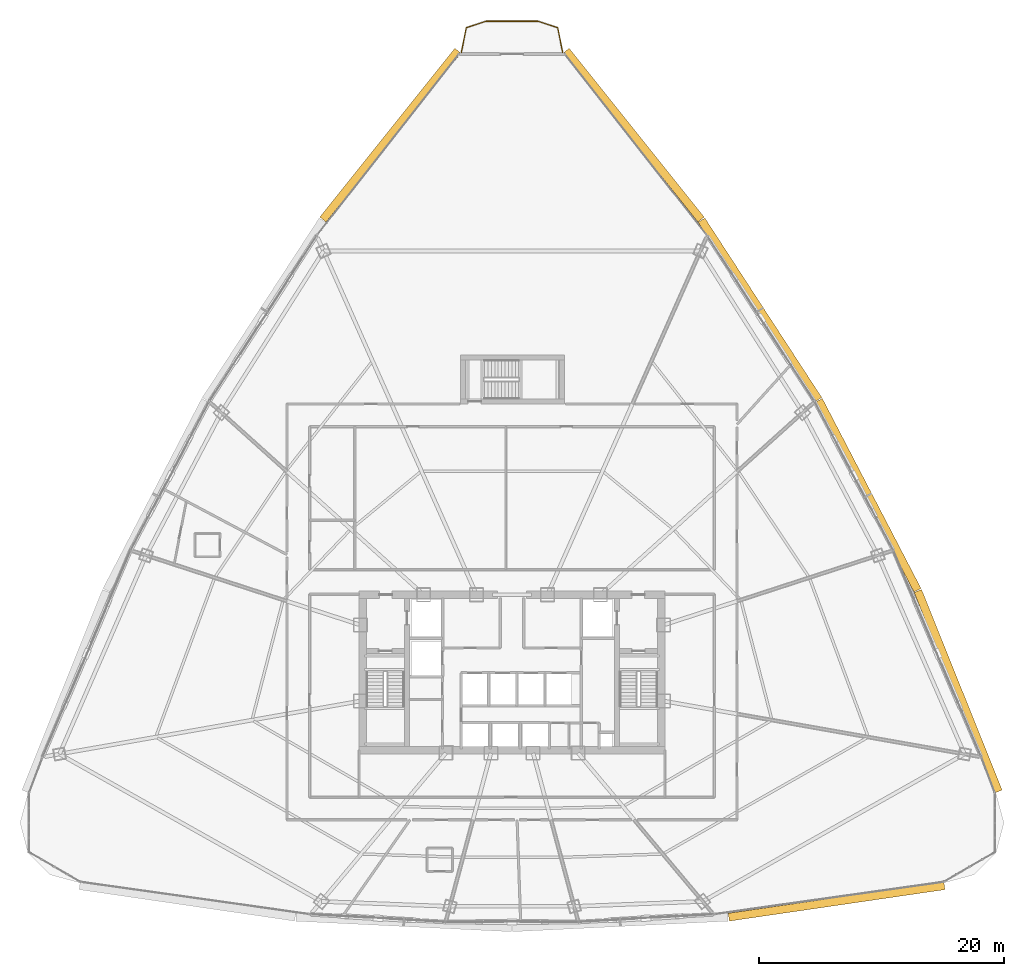
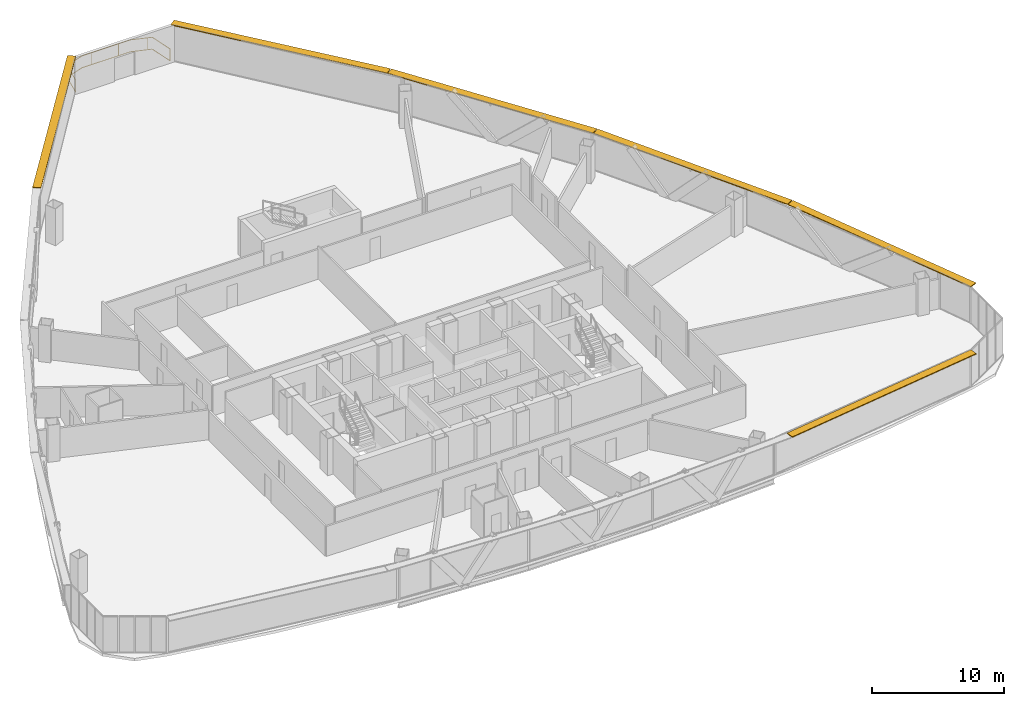
# One storey, part 42 of 42: 6 shading devices, 1 railing.
"""IFC4 building model written with IfcOpenShell, lengths in metres."""

from ifc_helpers import new_model, si_unit, direction, frame, origin, origin_2d, place, context, subcontext, project, spatial, rectangle, extrude, source, transform, mapped, material, layer, layer_set, type_object, element, save


model = new_model("IFC4")

# Units and contexts
model_context = context("Model", 3, precision=1e-05, world=origin(), true_north=direction((0.0, 1.0)))
body_context = subcontext(model_context, "Body", "Model", "MODEL_VIEW")
ifc_project = project(units=[si_unit("LENGTHUNIT", "METRE"), si_unit("AREAUNIT", "SQUARE_METRE"), si_unit("VOLUMEUNIT", "CUBIC_METRE"), si_unit("PLANEANGLEUNIT", "RADIAN"), si_unit("MASSUNIT", "GRAM", prefix="KILO"), si_unit("THERMODYNAMICTEMPERATUREUNIT", "KELVIN"), si_unit("POWERUNIT", "WATT")], contexts=[model_context])

# Site, building, storey
site_placement = place(None, origin())
site = spatial("IfcSite", under=ifc_project, at=site_placement, CompositionType="ELEMENT")
building_placement = place(site_placement, origin())
building = spatial("IfcBuilding", under=site, at=building_placement, Name="Yunzhuo Pagoda Commons", CompositionType="ELEMENT")
storey_placement = place(building_placement, frame((0.0, 0.0, 151.909912109375)))
storey = spatial("IfcBuildingStorey", under=building, at=storey_placement, Name="L38", CompositionType="ELEMENT", Elevation=151.909912109375)

# Railing
ifc_material = material(Name="Anodized aluminium 6063-T6", Category="aluminium")
railing_type = type_object("IfcRailingType", Name="RL-BAL1 Exterior Terrace & Balcony Balustrade 1150", PredefinedType="BALUSTRADE", material=ifc_material)
railing_placement = place(storey_placement, frame((52.140869140625, 84.543212890625, 0.0)))
element("IfcRailing", 1, at=railing_placement, inside=storey, type_object=railing_type, Name="L38 corner balcony balustrade V3", PredefinedType="BALUSTRADE", context=body_context, shape_type="SweptSolid", body=[
    extrude(rectangle(XDim=0.048095703125, YDim=0.048095703125, at=origin_2d()), frame((0.0, 0.0, 1.1259765625), z_axis=(-0.194337253182, 0.980934774603, 0.0), x_axis=(-0.980934774603, -0.194337253182, 0.0)), (0.0, 0.0, 1.0), 2.05908203125),
    extrude(rectangle(XDim=0.048095703125, YDim=0.048095703125, at=origin_2d()), frame((0.0, 0.0, 0.02392578125), z_axis=(-0.194337253182, 0.980934774603, 0.0), x_axis=(-0.980934774603, -0.194337253182, 0.0)), (0.0, 0.0, 1.0), 2.05908203125),
    extrude(rectangle(XDim=0.048095703125, YDim=0.048095703125, at=origin_2d()), frame((-0.400146484375, 2.019775390625, 1.1259765625), z_axis=(-0.951006855199, 0.309169793746, 0.0), x_axis=(-0.309169793746, -0.951006855199, 0.0)), (0.0, 0.0, 1.0), 1.71435546875),
    extrude(rectangle(XDim=0.048095703125, YDim=0.048095703125, at=origin_2d()), frame((-0.400146484375, 2.019775390625, 0.02392578125), z_axis=(-0.951006855199, 0.309169793746, 0.0), x_axis=(-0.309169793746, -0.951006855199, 0.0)), (0.0, 0.0, 1.0), 1.71435546875),
    extrude(rectangle(XDim=0.048095703125, YDim=0.048095703125, at=origin_2d()), frame((-2.030517578125, 2.5498046875, 1.1259765625), z_axis=(-1.0, 0.0, 0.0), x_axis=(0.0, -1.0, 0.0)), (0.0, 0.0, 1.0), 4.220703125),
    extrude(rectangle(XDim=0.048095703125, YDim=0.048095703125, at=origin_2d()), frame((-2.030517578125, 2.5498046875, 0.02392578125), z_axis=(-1.0, 0.0, 0.0), x_axis=(0.0, -1.0, 0.0)), (0.0, 0.0, 1.0), 4.220703125),
    extrude(rectangle(XDim=0.048095703125, YDim=0.048095703125, at=origin_2d()), frame((-6.251220703125, 2.5498046875, 1.1259765625), z_axis=(-0.951006855199, -0.309169793746, 0.0), x_axis=(0.309169793746, -0.951006855199, 0.0)), (0.0, 0.0, 1.0), 1.71435546875),
    extrude(rectangle(XDim=0.048095703125, YDim=0.048095703125, at=origin_2d()), frame((-6.251220703125, 2.5498046875, 0.02392578125), z_axis=(-0.951006855199, -0.309169793746, 0.0), x_axis=(0.309169793746, -0.951006855199, 0.0)), (0.0, 0.0, 1.0), 1.71435546875),
    extrude(rectangle(XDim=0.048095703125, YDim=0.048095703125, at=origin_2d()), frame((-7.881591796875, 2.019775390625, 1.1259765625), z_axis=(-0.194337253182, -0.980934774603, 0.0), x_axis=(0.980934774603, -0.194337253182, 0.0)), (0.0, 0.0, 1.0), 2.05908203125),
    extrude(rectangle(XDim=0.048095703125, YDim=0.048095703125, at=origin_2d()), frame((-7.881591796875, 2.019775390625, 0.02392578125), z_axis=(-0.194337253182, -0.980934774603, 0.0), x_axis=(0.980934774603, -0.194337253182, 0.0)), (0.0, 0.0, 1.0), 2.05908203125),
    extrude(rectangle(XDim=0.0419921875, YDim=0.0419921875, at=origin_2d()), origin(), (0.0, 0.0, 1.0), 1.101806640625),
    extrude(rectangle(XDim=0.0419921875, YDim=0.0419921875, at=origin_2d()), frame((-0.724365234375, 2.125244140625, 0.0)), (0.0, 0.0, 1.0), 1.101806640625),
    extrude(rectangle(XDim=0.0419921875, YDim=0.0419921875, at=origin_2d()), frame((-3.05712890625, 2.5498046875, 0.0)), (0.0, 0.0, 1.0), 1.101806640625),
    extrude(rectangle(XDim=0.0419921875, YDim=0.0419921875, at=origin_2d()), frame((-5.45703125, 2.5498046875, 0.0)), (0.0, 0.0, 1.0), 1.101806640625),
    extrude(rectangle(XDim=0.0419921875, YDim=0.0419921875, at=origin_2d()), frame((-8.28173828125, 0.0, 0.0)), (0.0, 0.0, 1.0), 1.101806640625),
])

# Shading devices
ifc_layer = layer(ifc_material, 0.080078125)
ifc_layer_set = layer_set([ifc_layer], Name="Anodized aluminium 6063-T6")
shading_device_type = type_object("IfcShadingDeviceType", Name="SH-SUN1 Pagoda Horizontal Sunshade Eave 650", PredefinedType="USERDEFINED", material=ifc_layer_set)
shared_shape_1 = source(origin(), body_context, "Body", "SweptSolid", [
    extrude(rectangle(XDim=17.81640625, YDim=0.64990234375, at=origin_2d()), origin(), (0.0, 0.0, 1.0), 0.080078125),
])
shading_device_1_placement = place(storey_placement, frame((74.538330078125, 15.126708984375, 3.340087890625), z_axis=(0.0, 0.0, 1.0), x_axis=(0.989510666697, 0.144459823108, 0.0)))
element("IfcShadingDevice", 2, at=shading_device_1_placement, inside=storey, type_object=shading_device_type, Name="L38 horizontal pagoda sunshade eave F1.4", ObjectType="SUNSHADE", PredefinedType="USERDEFINED", context=body_context, shape_type="MappedRepresentation", body=[
    mapped(shared_shape_1, transform((0.0, 0.0, 0.0), scale=1.0)),
])
shared_shape_2 = source(origin(), body_context, "Body", "SweptSolid", [
    extrude(rectangle(XDim=17.673095703125, YDim=0.64990234375, at=origin_2d()), origin(), (0.0, 0.0, 1.0), 0.080078125),
])
for number, where, z_axis, x_axis, name in (
    (3, (84.478271484375, 32.31201171875, 3.340087890625), (0.0, 0.0, 1.0), (-0.372987782576, 0.927836253899, 0.0), "L38 horizontal pagoda sunshade eave F2.1"),
    (4, (57.939208984375, 77.77587890625, 3.340087890625), (0.0, 0.0, 1.0), (-0.624520471688, 0.781008438138, 0.0), "L38 horizontal pagoda sunshade eave F2.4"),
    (5, (38.060791015625, 77.77587890625, 3.340087890625), (0.0, 0.0, 1.0), (-0.624520471688, -0.781008438138, 0.0), "L38 horizontal pagoda sunshade eave F3.1"),
):
    element("IfcShadingDevice", number, at=place(storey_placement, frame(where, z_axis=z_axis, x_axis=x_axis)), inside=storey, type_object=shading_device_type, Name=name, ObjectType="SUNSHADE", PredefinedType="USERDEFINED", context=body_context, shape_type="MappedRepresentation", body=[
        mapped(shared_shape_2, transform((0.0, 0.0, 0.0), scale=1.0)),
    ])
shared_shape_3 = source(origin(), body_context, "Body", "SweptSolid", [
    extrude(rectangle(XDim=17.50537109375, YDim=0.64990234375, at=origin_2d()), origin(), (0.0, 0.0, 1.0), 0.080078125),
])
shading_device_2_placement = place(storey_placement, frame((77.119140625, 48.334716796875, 3.340087890625), z_axis=(0.0, 0.0, 1.0), x_axis=(-0.461206683033, 0.88729273384, 0.0)))
element("IfcShadingDevice", 6, at=shading_device_2_placement, inside=storey, type_object=shading_device_type, Name="L38 horizontal pagoda sunshade eave F2.2", ObjectType="SUNSHADE", PredefinedType="USERDEFINED", context=body_context, shape_type="MappedRepresentation", body=[
    mapped(shared_shape_3, transform((0.0, 0.0, 0.0), scale=1.0)),
])
shared_shape_4 = source(origin(), body_context, "Body", "SweptSolid", [
    extrude(rectangle(XDim=17.505615234375, YDim=0.64990234375, at=origin_2d()), origin(), (0.0, 0.0, 1.0), 0.080078125),
])
shading_device_3_placement = place(storey_placement, frame((68.272705078125, 63.489501953125, 3.340087890625), z_axis=(0.0, 0.0, 1.0), x_axis=(-0.545838756973, 0.837890238269, 0.0)))
element("IfcShadingDevice", 7, at=shading_device_3_placement, inside=storey, type_object=shading_device_type, Name="L38 horizontal pagoda sunshade eave F2.3", ObjectType="SUNSHADE", PredefinedType="USERDEFINED", context=body_context, shape_type="MappedRepresentation", body=[
    mapped(shared_shape_4, transform((0.0, 0.0, 0.0), scale=1.0)),
])

save(model, "model.ifc")
